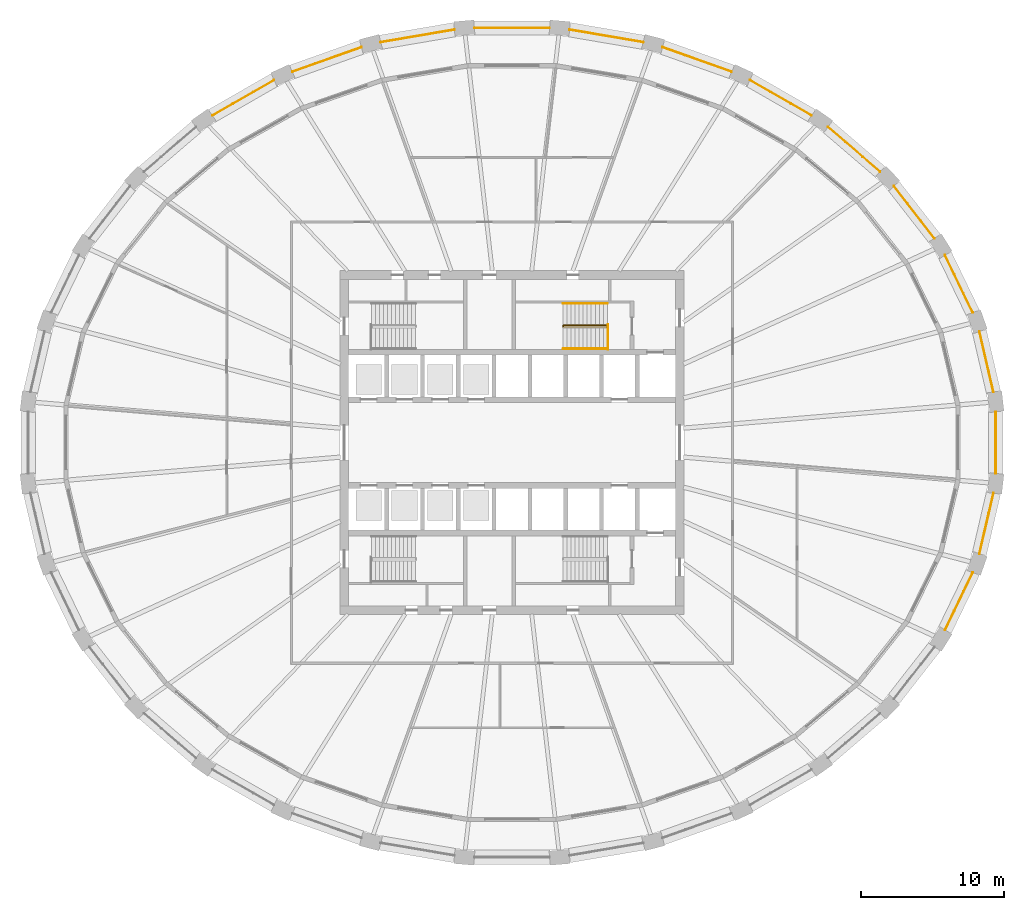
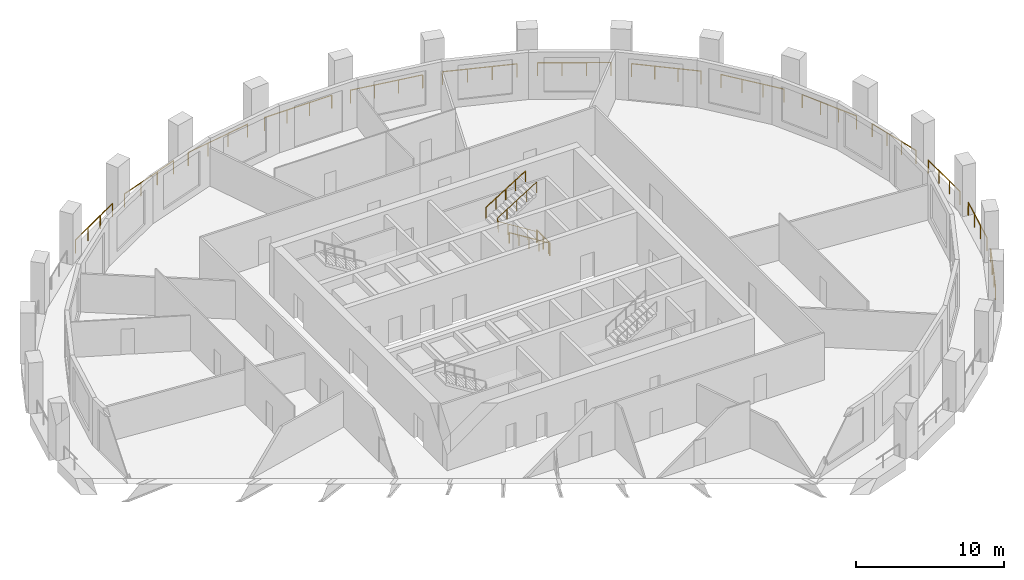
# One storey, part 9 of 10: 18 railings.
"""IFC4 building model written with IfcOpenShell, lengths in metres."""

from ifc_helpers import new_model, si_unit, direction, frame, origin, origin_2d, place, context, subcontext, project, spatial, circle, extrude, material, type_object, element, save


model = new_model("IFC4")

# Units and contexts
model_context = context("Model", 3, precision=1e-05, world=origin(), true_north=direction((0.0, 1.0)))
body_context = subcontext(model_context, "Body", "Model", "MODEL_VIEW")
ifc_project = project(units=[si_unit("LENGTHUNIT", "METRE"), si_unit("AREAUNIT", "SQUARE_METRE"), si_unit("VOLUMEUNIT", "CUBIC_METRE"), si_unit("PLANEANGLEUNIT", "RADIAN"), si_unit("MASSUNIT", "GRAM", prefix="KILO")], contexts=[model_context])

# Site, building, storey
site_placement = place(None, origin())
site = spatial("IfcSite", under=ifc_project, at=site_placement, CompositionType="ELEMENT")
building_placement = place(site_placement, origin())
building = spatial("IfcBuilding", under=site, at=building_placement, Name="Halqa Exchange Tower", CompositionType="ELEMENT")
storey_placement = place(building_placement, frame((0.0, 0.0, 154.89990234375)))
storey = spatial("IfcBuildingStorey", under=building, at=storey_placement, Name="L35", CompositionType="ELEMENT", Elevation=154.89990234375)

# Railings
ifc_material = material(Name="Stainless steel", Category="steel")
railing_type_1 = type_object("IfcRailingType", Name="Guard 1100 stainless steel", PredefinedType="GUARDRAIL", material=ifc_material)
railing_1_placement = place(storey_placement, frame((33.599609375, 3.53173828125, 0.0)))
element("IfcRailing", 1, at=railing_1_placement, inside=storey, type_object=railing_type_1, Name="Loggia guard 1", PredefinedType="GUARDRAIL", context=body_context, shape_type="SweptSolid", body=[
    extrude(circle(Radius=0.02392578125, at=origin_2d()), frame((0.0, 0.0, 1.076171875), z_axis=(-0.226083943623, 0.974107822798, 0.0), x_axis=(-0.974107822798, -0.226083943623, 0.0)), (0.0, 0.0, 1.0), 4.3388671875),
    extrude(circle(Radius=0.02099609375, at=origin_2d()), origin(), (0.0, 0.0, 1.0), 1.052001953125),
    extrude(circle(Radius=0.02099609375, at=origin_2d()), frame((-0.326904296875, 1.408935546875, 0.0)), (0.0, 0.0, 1.0), 1.052001953125),
    extrude(circle(Radius=0.02099609375, at=origin_2d()), frame((-0.654052734375, 2.817626953125, 0.0)), (0.0, 0.0, 1.0), 1.052001953125),
    extrude(circle(Radius=0.02099609375, at=origin_2d()), frame((-0.98095703125, 4.2265625, 0.0)), (0.0, 0.0, 1.0), 1.052001953125),
])
railing_2_placement = place(storey_placement, frame((32.156005859375, 9.0703125, 0.0)))
element("IfcRailing", 2, at=railing_2_placement, inside=storey, type_object=railing_type_1, Name="Loggia guard 2", PredefinedType="GUARDRAIL", context=body_context, shape_type="SweptSolid", body=[
    extrude(circle(Radius=0.02392578125, at=origin_2d()), frame((0.0, 0.0, 1.076171875), z_axis=(-0.435143450916, 0.900361137058, 0.0), x_axis=(-0.900361137058, -0.435143450916, 0.0)), (0.0, 0.0, 1.0), 4.44873046875),
    extrude(circle(Radius=0.02099609375, at=origin_2d()), origin(), (0.0, 0.0, 1.0), 1.052001953125),
    extrude(circle(Radius=0.02099609375, at=origin_2d()), frame((-0.645263671875, 1.335205078125, 0.0)), (0.0, 0.0, 1.0), 1.052001953125),
    extrude(circle(Radius=0.02099609375, at=origin_2d()), frame((-1.29052734375, 2.670166015625, 0.0)), (0.0, 0.0, 1.0), 1.052001953125),
    extrude(circle(Radius=0.02099609375, at=origin_2d()), frame((-1.935791015625, 4.00537109375, 0.0)), (0.0, 0.0, 1.0), 1.052001953125),
])
railing_3_placement = place(storey_placement, frame((29.4853515625, 14.258056640625, 0.0)))
element("IfcRailing", 3, at=railing_3_placement, inside=storey, type_object=railing_type_1, Name="Loggia guard 3", PredefinedType="GUARDRAIL", context=body_context, shape_type="SweptSolid", body=[
    extrude(circle(Radius=0.02392578125, at=origin_2d()), frame((0.0, 0.0, 1.076171875), z_axis=(-0.614787396714, 0.788692878655, 0.0), x_axis=(-0.788692878655, -0.614787396714, 0.0)), (0.0, 0.0, 1.0), 4.60888671875),
    extrude(circle(Radius=0.02099609375, at=origin_2d()), origin(), (0.0, 0.0, 1.0), 1.052001953125),
    extrude(circle(Radius=0.02099609375, at=origin_2d()), frame((-0.944580078125, 1.211669921875, 0.0)), (0.0, 0.0, 1.0), 1.052001953125),
    extrude(circle(Radius=0.02099609375, at=origin_2d()), frame((-1.888916015625, 2.42333984375, 0.0)), (0.0, 0.0, 1.0), 1.052001953125),
    extrude(circle(Radius=0.02099609375, at=origin_2d()), frame((-2.83349609375, 3.635009765625, 0.0)), (0.0, 0.0, 1.0), 1.052001953125),
])
railing_4_placement = place(storey_placement, frame((25.68994140625, 18.900634765625, 0.0)))
element("IfcRailing", 4, at=railing_4_placement, inside=storey, type_object=railing_type_1, Name="Loggia guard 4", PredefinedType="GUARDRAIL", context=body_context, shape_type="SweptSolid", body=[
    extrude(circle(Radius=0.02392578125, at=origin_2d()), frame((0.0, 0.0, 1.076171875), z_axis=(-0.759245815902, 0.650803957452, 0.0), x_axis=(-0.650803957452, -0.759245815902, 0.0)), (0.0, 0.0, 1.0), 4.793212890625),
    extrude(circle(Radius=0.02099609375, at=origin_2d()), origin(), (0.0, 0.0, 1.0), 1.052001953125),
    extrude(circle(Radius=0.02099609375, at=origin_2d()), frame((-1.213134765625, 1.039794921875, 0.0)), (0.0, 0.0, 1.0), 1.052001953125),
    extrude(circle(Radius=0.02099609375, at=origin_2d()), frame((-2.426025390625, 2.07958984375, 0.0)), (0.0, 0.0, 1.0), 1.052001953125),
    extrude(circle(Radius=0.02099609375, at=origin_2d()), frame((-3.63916015625, 3.119384765625, 0.0)), (0.0, 0.0, 1.0), 1.052001953125),
])
railing_5_placement = place(storey_placement, frame((20.911865234375, 22.8232421875, 0.0)))
element("IfcRailing", 5, at=railing_5_placement, inside=storey, type_object=railing_type_1, Name="Loggia guard 5", PredefinedType="GUARDRAIL", context=body_context, shape_type="SweptSolid", body=[
    extrude(circle(Radius=0.02392578125, at=origin_2d()), frame((0.0, 0.0, 1.076171875), z_axis=(-0.867750144397, 0.497000691044, 0.0), x_axis=(-0.497000691044, -0.867750144397, 0.0)), (0.0, 0.0, 1.0), 4.9716796875),
    extrude(circle(Radius=0.02099609375, at=origin_2d()), origin(), (0.0, 0.0, 1.0), 1.052001953125),
    extrude(circle(Radius=0.02099609375, at=origin_2d()), frame((-1.43798828125, 0.82373046875, 0.0)), (0.0, 0.0, 1.0), 1.052001953125),
    extrude(circle(Radius=0.02099609375, at=origin_2d()), frame((-2.876220703125, 1.647216796875, 0.0)), (0.0, 0.0, 1.0), 1.052001953125),
    extrude(circle(Radius=0.02099609375, at=origin_2d()), frame((-4.314208984375, 2.470947265625, 0.0)), (0.0, 0.0, 1.0), 1.052001953125),
])
railing_6_placement = place(storey_placement, frame((15.33056640625, 25.876220703125, 0.0)))
element("IfcRailing", 6, at=railing_6_placement, inside=storey, type_object=railing_type_1, Name="Loggia guard 6", PredefinedType="GUARDRAIL", context=body_context, shape_type="SweptSolid", body=[
    extrude(circle(Radius=0.02392578125, at=origin_2d()), frame((0.0, 0.0, 1.076171875), z_axis=(-0.942356449768, 0.334610701532, 0.0), x_axis=(-0.334610701532, -0.942356449768, 0.0)), (0.0, 0.0, 1.0), 5.119140625),
    extrude(circle(Radius=0.02099609375, at=origin_2d()), origin(), (0.0, 0.0, 1.0), 1.052001953125),
    extrude(circle(Radius=0.02099609375, at=origin_2d()), frame((-1.60791015625, 0.571044921875, 0.0)), (0.0, 0.0, 1.0), 1.052001953125),
    extrude(circle(Radius=0.02099609375, at=origin_2d()), frame((-3.216064453125, 1.141845703125, 0.0)), (0.0, 0.0, 1.0), 1.052001953125),
    extrude(circle(Radius=0.02099609375, at=origin_2d()), frame((-4.823974609375, 1.712890625, 0.0)), (0.0, 0.0, 1.0), 1.052001953125),
])
railing_7_placement = place(storey_placement, frame((9.15673828125, 27.94091796875, 0.0)))
element("IfcRailing", 7, at=railing_7_placement, inside=storey, type_object=railing_type_1, Name="Loggia guard 7", PredefinedType="GUARDRAIL", context=body_context, shape_type="SweptSolid", body=[
    extrude(circle(Radius=0.02392578125, at=origin_2d()), frame((0.0, 0.0, 1.076171875), z_axis=(-0.985781275518, 0.168033558668, 0.0), x_axis=(-0.168033558668, -0.985781275518, 0.0)), (0.0, 0.0, 1.0), 5.216064453125),
    extrude(circle(Radius=0.02099609375, at=origin_2d()), origin(), (0.0, 0.0, 1.0), 1.052001953125),
    extrude(circle(Radius=0.02099609375, at=origin_2d()), frame((-1.7138671875, 0.292236328125, 0.0)), (0.0, 0.0, 1.0), 1.052001953125),
    extrude(circle(Radius=0.02099609375, at=origin_2d()), frame((-3.427978515625, 0.584228515625, 0.0)), (0.0, 0.0, 1.0), 1.052001953125),
    extrude(circle(Radius=0.02099609375, at=origin_2d()), frame((-5.141845703125, 0.87646484375, 0.0)), (0.0, 0.0, 1.0), 1.052001953125),
])
railing_8_placement = place(storey_placement, frame((2.624755859375, 28.935302734375, 0.0)))
element("IfcRailing", 8, at=railing_8_placement, inside=storey, type_object=railing_type_1, Name="Loggia guard 8", PredefinedType="GUARDRAIL", context=body_context, shape_type="SweptSolid", body=[
    extrude(circle(Radius=0.02392578125, at=origin_2d()), frame((0.0, 0.0, 1.076171875), z_axis=(-1.0, 0.0, 0.0), x_axis=(0.0, -1.0, 0.0)), (0.0, 0.0, 1.0), 5.24951171875),
    extrude(circle(Radius=0.02099609375, at=origin_2d()), origin(), (0.0, 0.0, 1.0), 1.052001953125),
    extrude(circle(Radius=0.02099609375, at=origin_2d()), frame((-1.749755859375, 0.0, 0.0)), (0.0, 0.0, 1.0), 1.052001953125),
    extrude(circle(Radius=0.02099609375, at=origin_2d()), frame((-3.499755859375, 0.0, 0.0)), (0.0, 0.0, 1.0), 1.052001953125),
    extrude(circle(Radius=0.02099609375, at=origin_2d()), frame((-5.24951171875, 0.0, 0.0)), (0.0, 0.0, 1.0), 1.052001953125),
])
railing_9_placement = place(storey_placement, frame((-4.014892578125, 28.8173828125, 0.0)))
element("IfcRailing", 9, at=railing_9_placement, inside=storey, type_object=railing_type_1, Name="Loggia guard 9", PredefinedType="GUARDRAIL", context=body_context, shape_type="SweptSolid", body=[
    extrude(circle(Radius=0.02392578125, at=origin_2d()), frame((0.0, 0.0, 1.076171875), z_axis=(-0.985781275518, -0.168033558668, 0.0), x_axis=(0.168033558668, -0.985781275518, 0.0)), (0.0, 0.0, 1.0), 5.216064453125),
    extrude(circle(Radius=0.02099609375, at=origin_2d()), origin(), (0.0, 0.0, 1.0), 1.052001953125),
    extrude(circle(Radius=0.02099609375, at=origin_2d()), frame((-1.7138671875, -0.292236328125, 0.0)), (0.0, 0.0, 1.0), 1.052001953125),
    extrude(circle(Radius=0.02099609375, at=origin_2d()), frame((-3.427978515625, -0.584228515625, 0.0)), (0.0, 0.0, 1.0), 1.052001953125),
    extrude(circle(Radius=0.02099609375, at=origin_2d()), frame((-5.141845703125, -0.87646484375, 0.0)), (0.0, 0.0, 1.0), 1.052001953125),
])
railing_10_placement = place(storey_placement, frame((-10.506591796875, 27.589111328125, 0.0)))
element("IfcRailing", 10, at=railing_10_placement, inside=storey, type_object=railing_type_1, Name="Loggia guard 10", PredefinedType="GUARDRAIL", context=body_context, shape_type="SweptSolid", body=[
    extrude(circle(Radius=0.02392578125, at=origin_2d()), frame((0.0, 0.0, 1.076171875), z_axis=(-0.942356449768, -0.334610701532, 0.0), x_axis=(0.334610701532, -0.942356449768, 0.0)), (0.0, 0.0, 1.0), 5.119140625),
    extrude(circle(Radius=0.02099609375, at=origin_2d()), origin(), (0.0, 0.0, 1.0), 1.052001953125),
    extrude(circle(Radius=0.02099609375, at=origin_2d()), frame((-1.60791015625, -0.571044921875, 0.0)), (0.0, 0.0, 1.0), 1.052001953125),
    extrude(circle(Radius=0.02099609375, at=origin_2d()), frame((-3.216064453125, -1.141845703125, 0.0)), (0.0, 0.0, 1.0), 1.052001953125),
    extrude(circle(Radius=0.02099609375, at=origin_2d()), frame((-4.823974609375, -1.712890625, 0.0)), (0.0, 0.0, 1.0), 1.052001953125),
])
railing_11_placement = place(storey_placement, frame((-16.59765625, 25.294189453125, 0.0)))
element("IfcRailing", 11, at=railing_11_placement, inside=storey, type_object=railing_type_1, Name="Loggia guard 11", PredefinedType="GUARDRAIL", context=body_context, shape_type="SweptSolid", body=[
    extrude(circle(Radius=0.02392578125, at=origin_2d()), frame((0.0, 0.0, 1.076171875), z_axis=(-0.867750144397, -0.497000691044, 0.0), x_axis=(0.497000691044, -0.867750144397, 0.0)), (0.0, 0.0, 1.0), 4.9716796875),
    extrude(circle(Radius=0.02099609375, at=origin_2d()), origin(), (0.0, 0.0, 1.0), 1.052001953125),
    extrude(circle(Radius=0.02099609375, at=origin_2d()), frame((-1.43798828125, -0.82373046875, 0.0)), (0.0, 0.0, 1.0), 1.052001953125),
    extrude(circle(Radius=0.02099609375, at=origin_2d()), frame((-2.876220703125, -1.647216796875, 0.0)), (0.0, 0.0, 1.0), 1.052001953125),
    extrude(circle(Radius=0.02099609375, at=origin_2d()), frame((-4.314208984375, -2.470947265625, 0.0)), (0.0, 0.0, 1.0), 1.052001953125),
])
railing_12_placement = place(storey_placement, frame((30.22021484375, -13.07568359375, 0.0)))
element("IfcRailing", 12, at=railing_12_placement, inside=storey, type_object=railing_type_1, Name="Loggia guard 30", PredefinedType="GUARDRAIL", context=body_context, shape_type="SweptSolid", body=[
    extrude(circle(Radius=0.02392578125, at=origin_2d()), frame((0.0, 0.0, 1.076171875), z_axis=(0.435143450916, 0.900361137058, 0.0), x_axis=(-0.900361137058, 0.435143450916, 0.0)), (0.0, 0.0, 1.0), 4.44873046875),
    extrude(circle(Radius=0.02099609375, at=origin_2d()), origin(), (0.0, 0.0, 1.0), 1.052001953125),
    extrude(circle(Radius=0.02099609375, at=origin_2d()), frame((0.645263671875, 1.335205078125, 0.0)), (0.0, 0.0, 1.0), 1.052001953125),
    extrude(circle(Radius=0.02099609375, at=origin_2d()), frame((1.29052734375, 2.670166015625, 0.0)), (0.0, 0.0, 1.0), 1.052001953125),
    extrude(circle(Radius=0.02099609375, at=origin_2d()), frame((1.935791015625, 4.00537109375, 0.0)), (0.0, 0.0, 1.0), 1.052001953125),
])
railing_13_placement = place(storey_placement, frame((32.61865234375, -7.75830078125, 0.0)))
element("IfcRailing", 13, at=railing_13_placement, inside=storey, type_object=railing_type_1, Name="Loggia guard 31", PredefinedType="GUARDRAIL", context=body_context, shape_type="SweptSolid", body=[
    extrude(circle(Radius=0.02392578125, at=origin_2d()), frame((0.0, 0.0, 1.076171875), z_axis=(0.226083943623, 0.974107822798, 0.0), x_axis=(-0.974107822798, 0.226083943623, 0.0)), (0.0, 0.0, 1.0), 4.3388671875),
    extrude(circle(Radius=0.02099609375, at=origin_2d()), origin(), (0.0, 0.0, 1.0), 1.052001953125),
    extrude(circle(Radius=0.02099609375, at=origin_2d()), frame((0.326904296875, 1.408935546875, 0.0)), (0.0, 0.0, 1.0), 1.052001953125),
    extrude(circle(Radius=0.02099609375, at=origin_2d()), frame((0.654052734375, 2.817626953125, 0.0)), (0.0, 0.0, 1.0), 1.052001953125),
    extrude(circle(Radius=0.02099609375, at=origin_2d()), frame((0.98095703125, 4.2265625, 0.0)), (0.0, 0.0, 1.0), 1.052001953125),
])
railing_14_placement = place(storey_placement, frame((33.7578125, -2.14990234375, 0.0)))
element("IfcRailing", 14, at=railing_14_placement, inside=storey, type_object=railing_type_1, Name="Loggia guard 32", PredefinedType="GUARDRAIL", context=body_context, shape_type="SweptSolid", body=[
    extrude(circle(Radius=0.02392578125, at=origin_2d()), frame((0.0, 0.0, 1.076171875), z_axis=(0.0, 1.0, 0.0), x_axis=(-1.0, 0.0, 0.0)), (0.0, 0.0, 1.0), 4.2998046875),
    extrude(circle(Radius=0.02099609375, at=origin_2d()), origin(), (0.0, 0.0, 1.0), 1.052001953125),
    extrude(circle(Radius=0.02099609375, at=origin_2d()), frame((0.0, 1.433349609375, 0.0)), (0.0, 0.0, 1.0), 1.052001953125),
    extrude(circle(Radius=0.02099609375, at=origin_2d()), frame((0.0, 2.866455078125, 0.0)), (0.0, 0.0, 1.0), 1.052001953125),
    extrude(circle(Radius=0.02099609375, at=origin_2d()), frame((0.0, 4.2998046875, 0.0)), (0.0, 0.0, 1.0), 1.052001953125),
])
railing_type_2 = type_object("IfcRailingType", Name="Stair handrail 900", PredefinedType="HANDRAIL", material=ifc_material)
railing_15_placement = place(storey_placement, frame((6.64990234375, 8.06005859375, 0.175048828125)))
element("IfcRailing", 15, at=railing_15_placement, inside=storey, type_object=railing_type_2, Name="Handrail ST2.1", PredefinedType="HANDRAIL", context=body_context, shape_type="SweptSolid", body=[
    extrude(circle(Radius=0.02392578125, at=origin_2d()), frame((0.0, 0.0, 0.8759765625), z_axis=(-0.847979421464, 0.0, 0.530029150871), x_axis=(0.0, -1.0, 0.0)), (0.0, 0.0, 1.0), 3.632080078125),
    extrude(circle(Radius=0.02392578125, at=origin_2d()), frame((-3.079833984375, 0.0, 2.80078125), z_axis=(0.0, 0.595870227118, 0.803080738428), x_axis=(-1.0, 0.0, 0.0)), (0.0, 0.0, 1.0), 0.218017578125),
    extrude(circle(Radius=0.02392578125, at=origin_2d()), frame((-3.079833984375, 0.1298828125, 2.97607421875), z_axis=(0.847979421464, 0.0, 0.530029150871), x_axis=(0.0, 1.0, 0.0)), (0.0, 0.0, 1.0), 3.632080078125),
    extrude(circle(Radius=0.02099609375, at=origin_2d()), origin(), (0.0, 0.0, 1.0), 0.851806640625),
    extrude(circle(Radius=0.02099609375, at=origin_2d()), frame((-0.77001953125, 0.0, 0.481201171875)), (0.0, 0.0, 1.0), 0.851806640625),
    extrude(circle(Radius=0.02099609375, at=origin_2d()), frame((-1.5400390625, 0.0, 0.96240234375)), (0.0, 0.0, 1.0), 0.851806640625),
    extrude(circle(Radius=0.02099609375, at=origin_2d()), frame((-2.309814453125, 0.0, 1.44384765625)), (0.0, 0.0, 1.0), 0.851806640625),
    extrude(circle(Radius=0.02099609375, at=origin_2d()), frame((-3.079833984375, 0.0, 1.925048828125)), (0.0, 0.0, 1.0), 0.851806640625),
    extrude(circle(Radius=0.02099609375, at=origin_2d()), frame((-3.079833984375, 0.1298828125, 2.10009765625)), (0.0, 0.0, 1.0), 0.851806640625),
    extrude(circle(Radius=0.02099609375, at=origin_2d()), frame((-2.309814453125, 0.1298828125, 2.581298828125)), (0.0, 0.0, 1.0), 0.851806640625),
    extrude(circle(Radius=0.02099609375, at=origin_2d()), frame((-1.5400390625, 0.1298828125, 3.0625)), (0.0, 0.0, 1.0), 0.851806640625),
    extrude(circle(Radius=0.02099609375, at=origin_2d()), frame((-0.77001953125, 0.1298828125, 3.5439453125)), (0.0, 0.0, 1.0), 0.851806640625),
    extrude(circle(Radius=0.02099609375, at=origin_2d()), frame((0.0, 0.1298828125, 4.025146484375)), (0.0, 0.0, 1.0), 0.851806640625),
])
railing_16_placement = place(storey_placement, frame((6.64990234375, 6.550048828125, 0.175048828125)))
element("IfcRailing", 16, at=railing_16_placement, inside=storey, type_object=railing_type_2, Name="Handrail ST2.2", PredefinedType="HANDRAIL", context=body_context, shape_type="SweptSolid", body=[
    extrude(circle(Radius=0.02392578125, at=origin_2d()), frame((0.0, 0.0, 0.8759765625), z_axis=(-0.847979421464, 0.0, 0.530029150871), x_axis=(0.0, -1.0, 0.0)), (0.0, 0.0, 1.0), 3.632080078125),
    extrude(circle(Radius=0.02099609375, at=origin_2d()), origin(), (0.0, 0.0, 1.0), 0.851806640625),
    extrude(circle(Radius=0.02099609375, at=origin_2d()), frame((-0.77001953125, 0.0, 0.481201171875)), (0.0, 0.0, 1.0), 0.851806640625),
    extrude(circle(Radius=0.02099609375, at=origin_2d()), frame((-1.5400390625, 0.0, 0.96240234375)), (0.0, 0.0, 1.0), 0.851806640625),
    extrude(circle(Radius=0.02099609375, at=origin_2d()), frame((-2.309814453125, 0.0, 1.44384765625)), (0.0, 0.0, 1.0), 0.851806640625),
    extrude(circle(Radius=0.02099609375, at=origin_2d()), frame((-3.079833984375, 0.0, 1.925048828125)), (0.0, 0.0, 1.0), 0.851806640625),
])
railing_17_placement = place(storey_placement, frame((3.570068359375, 9.699951171875, 2.275146484375)))
element("IfcRailing", 17, at=railing_17_placement, inside=storey, type_object=railing_type_2, Name="Handrail ST2.3", PredefinedType="HANDRAIL", context=body_context, shape_type="SweptSolid", body=[
    extrude(circle(Radius=0.02392578125, at=origin_2d()), frame((0.0, 0.0, 0.8759765625), z_axis=(0.847979421464, 0.0, 0.530029150871), x_axis=(0.0, 1.0, 0.0)), (0.0, 0.0, 1.0), 3.632080078125),
    extrude(circle(Radius=0.02099609375, at=origin_2d()), origin(), (0.0, 0.0, 1.0), 0.851806640625),
    extrude(circle(Radius=0.02099609375, at=origin_2d()), frame((0.77001953125, 0.0, 0.481201171875)), (0.0, 0.0, 1.0), 0.851806640625),
    extrude(circle(Radius=0.02099609375, at=origin_2d()), frame((1.5400390625, 0.0, 0.96240234375)), (0.0, 0.0, 1.0), 0.851806640625),
    extrude(circle(Radius=0.02099609375, at=origin_2d()), frame((2.309814453125, 0.0, 1.44384765625)), (0.0, 0.0, 1.0), 0.851806640625),
    extrude(circle(Radius=0.02099609375, at=origin_2d()), frame((3.079833984375, 0.0, 1.925048828125)), (0.0, 0.0, 1.0), 0.851806640625),
])
railing_type_3 = type_object("IfcRailingType", Name="Stair well guard 1100", PredefinedType="GUARDRAIL", material=ifc_material)
railing_18_placement = place(storey_placement, frame((6.699951171875, 6.5, 0.0)))
element("IfcRailing", 18, at=railing_18_placement, inside=storey, type_object=railing_type_3, Name="Guard ST2 well", PredefinedType="GUARDRAIL", context=body_context, shape_type="SweptSolid", body=[
    extrude(circle(Radius=0.02392578125, at=origin_2d()), frame((0.0, 0.0, 1.076171875), z_axis=(0.0, 1.0, 0.0), x_axis=(-1.0, 0.0, 0.0)), (0.0, 0.0, 1.0), 1.75),
    extrude(circle(Radius=0.02099609375, at=origin_2d()), origin(), (0.0, 0.0, 1.0), 1.052001953125),
    extrude(circle(Radius=0.02099609375, at=origin_2d()), frame((0.0, 0.875, 0.0)), (0.0, 0.0, 1.0), 1.052001953125),
    extrude(circle(Radius=0.02099609375, at=origin_2d()), frame((0.0, 1.75, 0.0)), (0.0, 0.0, 1.0), 1.052001953125),
])

save(model, "model.ifc")
